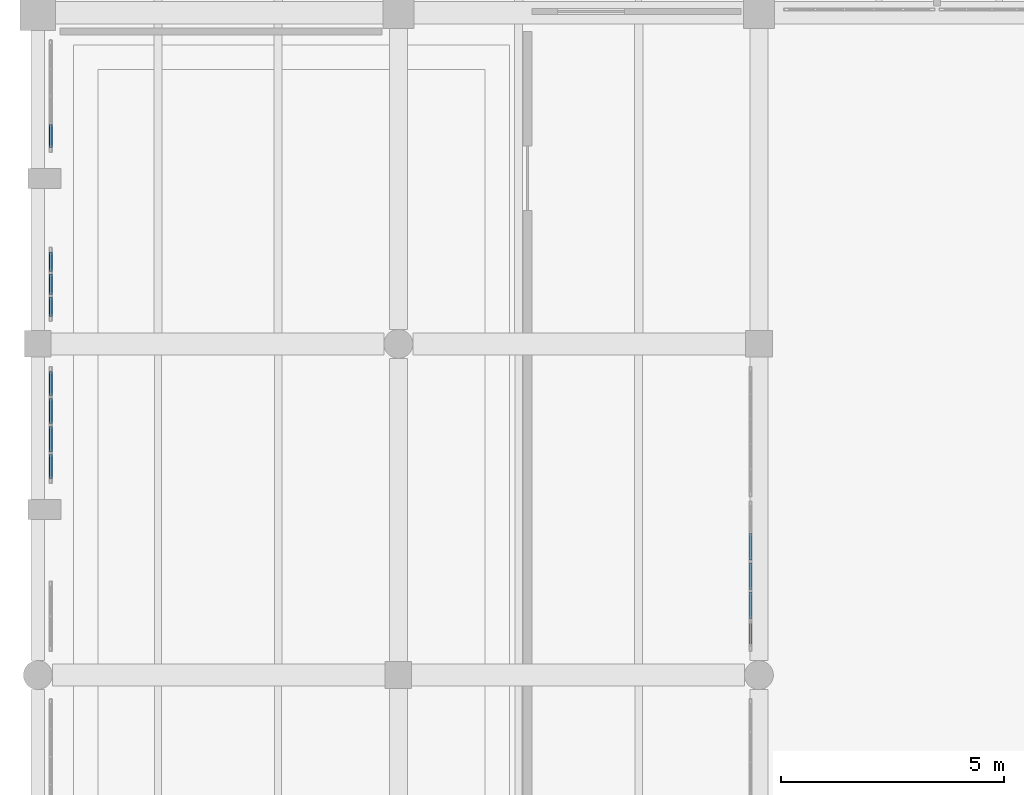
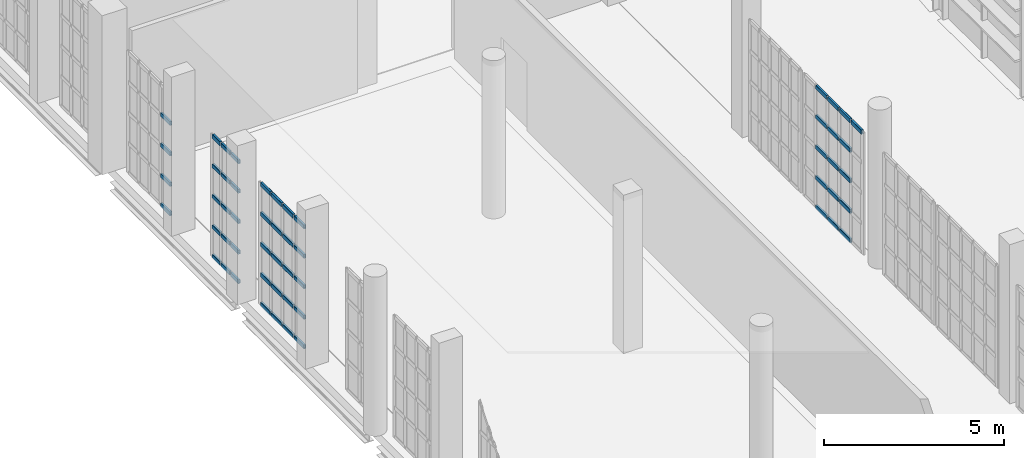
# One storey, part 297 of 372: 55 members, 4 elements without a shape of their own.
"""IFC4 building model written with IfcOpenShell, lengths in metres."""

from ifc_helpers import new_model, si_unit, direction, frame, origin, origin_2d, place, context, subcontext, project, spatial, hollow_rectangle, extrude, material, material_profile, profile_set, type_object, element, aggregate, save


model = new_model("IFC4")

# Units and contexts
model_context = context("Model", 3, precision=1e-05, world=origin(), true_north=direction((0.0, 1.0)))
body_context = subcontext(model_context, "Body", "Model", "MODEL_VIEW")
ifc_project = project(units=[si_unit("LENGTHUNIT", "METRE"), si_unit("AREAUNIT", "SQUARE_METRE"), si_unit("VOLUMEUNIT", "CUBIC_METRE"), si_unit("PLANEANGLEUNIT", "RADIAN"), si_unit("MASSUNIT", "GRAM", prefix="KILO")], contexts=[model_context])

# Site, building, storey
site_placement = place(None, origin())
site = spatial("IfcSite", under=ifc_project, at=site_placement, CompositionType="ELEMENT")
building_placement = place(site_placement, origin())
building = spatial("IfcBuilding", under=site, at=building_placement, Name="Kaelora Sail Theatre", CompositionType="ELEMENT")
storey_placement = place(building_placement, origin())
storey = spatial("IfcBuildingStorey", under=building, at=storey_placement, Name="L00", CompositionType="ELEMENT", Elevation=0.0)

# Curtain wall, members
ifc_material_1 = material(Name="Anodised aluminium and solar-control low-E IGU", Category="aluminium")
curtain_wall_type_1 = type_object("IfcCurtainWallType", Name="ARC-CW-CW-FOY1", PredefinedType="NOTDEFINED", material=ifc_material_1)
curtain_wall_1_placement = place(storey_placement, origin())
curtain_wall_1 = element("IfcCurtainWall", 1, at=curtain_wall_1_placement, inside=storey, type_object=curtain_wall_type_1, Name="Glazed Colonnade/Courtyard Curtain Wall COLW-W-L00-09", PredefinedType="NOTDEFINED")
ifc_material_2 = material(Name="Anodised aluminium 6063-T6", Category="aluminium")
ifc_material_profile = material_profile(ifc_material_2, hollow_rectangle(XDim=0.070068359375, YDim=0.139892578125, WallThickness=0.00390625, InnerFilletRadius=0.00390625, OuterFilletRadius=0.008056640625, at=origin_2d()), Name="ALU-TRAN 70x140x4")
ifc_profile_set = profile_set([ifc_material_profile], Name="Anodised aluminium 6063-T6")
member_type = type_object("IfcMemberType", Name="ARC-MEM-TR-140", PredefinedType="USERDEFINED", material=ifc_profile_set)
member_1_placement = place(storey_placement, frame((1.7900390625, 50.554931640625, 0.034912109375), z_axis=(0.0, 1.0, 0.0), x_axis=(-1.0, 0.0, 0.0)))
member_1 = element("IfcMember", 2, at=member_1_placement, type_object=member_type, Name="CW-FOY1 transom 1.1", ObjectType="TRANSOM", PredefinedType="USERDEFINED", context=body_context, shape_type="SweptSolid", body=[
    extrude(hollow_rectangle(XDim=0.070068359375, YDim=0.139892578125, WallThickness=0.00390625, InnerFilletRadius=0.00390625, OuterFilletRadius=0.008056640625, at=origin_2d()), origin(), (0.0, 0.0, 1.0), 0.541259765625),
])
member_2_placement = place(storey_placement, frame((1.7900390625, 50.554931640625, 1.0341796875), z_axis=(0.0, 1.0, 0.0), x_axis=(-1.0, 0.0, 0.0)))
member_2 = element("IfcMember", 3, at=member_2_placement, type_object=member_type, Name="CW-FOY1 transom 1.2", ObjectType="TRANSOM", PredefinedType="USERDEFINED", context=body_context, shape_type="SweptSolid", body=[
    extrude(hollow_rectangle(XDim=0.070068359375, YDim=0.139892578125, WallThickness=0.00390625, InnerFilletRadius=0.00390625, OuterFilletRadius=0.008056640625, at=origin_2d()), origin(), (0.0, 0.0, 1.0), 0.541259765625),
])
member_3_placement = place(storey_placement, frame((1.7900390625, 50.554931640625, 2.068603515625), z_axis=(0.0, 1.0, 0.0), x_axis=(-1.0, 0.0, 0.0)))
member_3 = element("IfcMember", 4, at=member_3_placement, type_object=member_type, Name="CW-FOY1 transom 1.3", ObjectType="TRANSOM", PredefinedType="USERDEFINED", context=body_context, shape_type="SweptSolid", body=[
    extrude(hollow_rectangle(XDim=0.070068359375, YDim=0.139892578125, WallThickness=0.00390625, InnerFilletRadius=0.00390625, OuterFilletRadius=0.008056640625, at=origin_2d()), origin(), (0.0, 0.0, 1.0), 0.541259765625),
])
member_4_placement = place(storey_placement, frame((1.7900390625, 50.554931640625, 3.102783203125), z_axis=(0.0, 1.0, 0.0), x_axis=(-1.0, 0.0, 0.0)))
member_4 = element("IfcMember", 5, at=member_4_placement, type_object=member_type, Name="CW-FOY1 transom 1.4", ObjectType="TRANSOM", PredefinedType="USERDEFINED", context=body_context, shape_type="SweptSolid", body=[
    extrude(hollow_rectangle(XDim=0.070068359375, YDim=0.139892578125, WallThickness=0.00390625, InnerFilletRadius=0.00390625, OuterFilletRadius=0.008056640625, at=origin_2d()), origin(), (0.0, 0.0, 1.0), 0.541259765625),
])
member_5_placement = place(storey_placement, frame((1.7900390625, 50.554931640625, 4.10205078125), z_axis=(0.0, 1.0, 0.0), x_axis=(-1.0, 0.0, 0.0)))
member_5 = element("IfcMember", 6, at=member_5_placement, type_object=member_type, Name="CW-FOY1 transom 1.5", ObjectType="TRANSOM", PredefinedType="USERDEFINED", context=body_context, shape_type="SweptSolid", body=[
    extrude(hollow_rectangle(XDim=0.070068359375, YDim=0.139892578125, WallThickness=0.00390625, InnerFilletRadius=0.00390625, OuterFilletRadius=0.008056640625, at=origin_2d()), origin(), (0.0, 0.0, 1.0), 0.541259765625),
])
member_6_placement = place(storey_placement, frame((1.7900390625, 51.15625, 0.034912109375), z_axis=(0.0, 1.0, 0.0), x_axis=(-1.0, 0.0, 0.0)))
member_6 = element("IfcMember", 7, at=member_6_placement, type_object=member_type, Name="CW-FOY1 transom 2.1", ObjectType="TRANSOM", PredefinedType="USERDEFINED", context=body_context, shape_type="SweptSolid", body=[
    extrude(hollow_rectangle(XDim=0.070068359375, YDim=0.139892578125, WallThickness=0.00390625, InnerFilletRadius=0.00390625, OuterFilletRadius=0.008056640625, at=origin_2d()), origin(), (0.0, 0.0, 1.0), 0.5712890625),
])
member_7_placement = place(storey_placement, frame((1.7900390625, 51.15625, 1.0341796875), z_axis=(0.0, 1.0, 0.0), x_axis=(-1.0, 0.0, 0.0)))
member_7 = element("IfcMember", 8, at=member_7_placement, type_object=member_type, Name="CW-FOY1 transom 2.2", ObjectType="TRANSOM", PredefinedType="USERDEFINED", context=body_context, shape_type="SweptSolid", body=[
    extrude(hollow_rectangle(XDim=0.070068359375, YDim=0.139892578125, WallThickness=0.00390625, InnerFilletRadius=0.00390625, OuterFilletRadius=0.008056640625, at=origin_2d()), origin(), (0.0, 0.0, 1.0), 0.5712890625),
])
member_8_placement = place(storey_placement, frame((1.7900390625, 51.15625, 2.068603515625), z_axis=(0.0, 1.0, 0.0), x_axis=(-1.0, 0.0, 0.0)))
member_8 = element("IfcMember", 9, at=member_8_placement, type_object=member_type, Name="CW-FOY1 transom 2.3", ObjectType="TRANSOM", PredefinedType="USERDEFINED", context=body_context, shape_type="SweptSolid", body=[
    extrude(hollow_rectangle(XDim=0.070068359375, YDim=0.139892578125, WallThickness=0.00390625, InnerFilletRadius=0.00390625, OuterFilletRadius=0.008056640625, at=origin_2d()), origin(), (0.0, 0.0, 1.0), 0.5712890625),
])
member_9_placement = place(storey_placement, frame((1.7900390625, 51.15625, 3.102783203125), z_axis=(0.0, 1.0, 0.0), x_axis=(-1.0, 0.0, 0.0)))
member_9 = element("IfcMember", 10, at=member_9_placement, type_object=member_type, Name="CW-FOY1 transom 2.4", ObjectType="TRANSOM", PredefinedType="USERDEFINED", context=body_context, shape_type="SweptSolid", body=[
    extrude(hollow_rectangle(XDim=0.070068359375, YDim=0.139892578125, WallThickness=0.00390625, InnerFilletRadius=0.00390625, OuterFilletRadius=0.008056640625, at=origin_2d()), origin(), (0.0, 0.0, 1.0), 0.5712890625),
])
member_10_placement = place(storey_placement, frame((1.7900390625, 51.15625, 4.10205078125), z_axis=(0.0, 1.0, 0.0), x_axis=(-1.0, 0.0, 0.0)))
member_10 = element("IfcMember", 11, at=member_10_placement, type_object=member_type, Name="CW-FOY1 transom 2.5", ObjectType="TRANSOM", PredefinedType="USERDEFINED", context=body_context, shape_type="SweptSolid", body=[
    extrude(hollow_rectangle(XDim=0.070068359375, YDim=0.139892578125, WallThickness=0.00390625, InnerFilletRadius=0.00390625, OuterFilletRadius=0.008056640625, at=origin_2d()), origin(), (0.0, 0.0, 1.0), 0.5712890625),
])
member_11_placement = place(storey_placement, frame((1.7900390625, 51.78759765625, 0.034912109375), z_axis=(0.0, 1.0, 0.0), x_axis=(-1.0, 0.0, 0.0)))
member_11 = element("IfcMember", 12, at=member_11_placement, type_object=member_type, Name="CW-FOY1 transom 3.1", ObjectType="TRANSOM", PredefinedType="USERDEFINED", context=body_context, shape_type="SweptSolid", body=[
    extrude(hollow_rectangle(XDim=0.070068359375, YDim=0.139892578125, WallThickness=0.00390625, InnerFilletRadius=0.00390625, OuterFilletRadius=0.008056640625, at=origin_2d()), origin(), (0.0, 0.0, 1.0), 0.571044921875),
])
member_12_placement = place(storey_placement, frame((1.7900390625, 51.78759765625, 1.0341796875), z_axis=(0.0, 1.0, 0.0), x_axis=(-1.0, 0.0, 0.0)))
member_12 = element("IfcMember", 13, at=member_12_placement, type_object=member_type, Name="CW-FOY1 transom 3.2", ObjectType="TRANSOM", PredefinedType="USERDEFINED", context=body_context, shape_type="SweptSolid", body=[
    extrude(hollow_rectangle(XDim=0.070068359375, YDim=0.139892578125, WallThickness=0.00390625, InnerFilletRadius=0.00390625, OuterFilletRadius=0.008056640625, at=origin_2d()), origin(), (0.0, 0.0, 1.0), 0.571044921875),
])
member_13_placement = place(storey_placement, frame((1.7900390625, 51.78759765625, 2.068603515625), z_axis=(0.0, 1.0, 0.0), x_axis=(-1.0, 0.0, 0.0)))
member_13 = element("IfcMember", 14, at=member_13_placement, type_object=member_type, Name="CW-FOY1 transom 3.3", ObjectType="TRANSOM", PredefinedType="USERDEFINED", context=body_context, shape_type="SweptSolid", body=[
    extrude(hollow_rectangle(XDim=0.070068359375, YDim=0.139892578125, WallThickness=0.00390625, InnerFilletRadius=0.00390625, OuterFilletRadius=0.008056640625, at=origin_2d()), origin(), (0.0, 0.0, 1.0), 0.571044921875),
])
member_14_placement = place(storey_placement, frame((1.7900390625, 51.78759765625, 3.102783203125), z_axis=(0.0, 1.0, 0.0), x_axis=(-1.0, 0.0, 0.0)))
member_14 = element("IfcMember", 15, at=member_14_placement, type_object=member_type, Name="CW-FOY1 transom 3.4", ObjectType="TRANSOM", PredefinedType="USERDEFINED", context=body_context, shape_type="SweptSolid", body=[
    extrude(hollow_rectangle(XDim=0.070068359375, YDim=0.139892578125, WallThickness=0.00390625, InnerFilletRadius=0.00390625, OuterFilletRadius=0.008056640625, at=origin_2d()), origin(), (0.0, 0.0, 1.0), 0.571044921875),
])
member_15_placement = place(storey_placement, frame((1.7900390625, 51.78759765625, 4.10205078125), z_axis=(0.0, 1.0, 0.0), x_axis=(-1.0, 0.0, 0.0)))
member_15 = element("IfcMember", 16, at=member_15_placement, type_object=member_type, Name="CW-FOY1 transom 3.5", ObjectType="TRANSOM", PredefinedType="USERDEFINED", context=body_context, shape_type="SweptSolid", body=[
    extrude(hollow_rectangle(XDim=0.070068359375, YDim=0.139892578125, WallThickness=0.00390625, InnerFilletRadius=0.00390625, OuterFilletRadius=0.008056640625, at=origin_2d()), origin(), (0.0, 0.0, 1.0), 0.571044921875),
])
member_16_placement = place(storey_placement, frame((1.7900390625, 52.418701171875, 0.034912109375), z_axis=(0.0, 1.0, 0.0), x_axis=(-1.0, 0.0, 0.0)))
member_16 = element("IfcMember", 17, at=member_16_placement, type_object=member_type, Name="CW-FOY1 transom 4.1", ObjectType="TRANSOM", PredefinedType="USERDEFINED", context=body_context, shape_type="SweptSolid", body=[
    extrude(hollow_rectangle(XDim=0.070068359375, YDim=0.139892578125, WallThickness=0.00390625, InnerFilletRadius=0.00390625, OuterFilletRadius=0.008056640625, at=origin_2d()), origin(), (0.0, 0.0, 1.0), 0.541259765625),
])
member_17_placement = place(storey_placement, frame((1.7900390625, 52.418701171875, 1.0341796875), z_axis=(0.0, 1.0, 0.0), x_axis=(-1.0, 0.0, 0.0)))
member_17 = element("IfcMember", 18, at=member_17_placement, type_object=member_type, Name="CW-FOY1 transom 4.2", ObjectType="TRANSOM", PredefinedType="USERDEFINED", context=body_context, shape_type="SweptSolid", body=[
    extrude(hollow_rectangle(XDim=0.070068359375, YDim=0.139892578125, WallThickness=0.00390625, InnerFilletRadius=0.00390625, OuterFilletRadius=0.008056640625, at=origin_2d()), origin(), (0.0, 0.0, 1.0), 0.541259765625),
])
member_18_placement = place(storey_placement, frame((1.7900390625, 52.418701171875, 2.068603515625), z_axis=(0.0, 1.0, 0.0), x_axis=(-1.0, 0.0, 0.0)))
member_18 = element("IfcMember", 19, at=member_18_placement, type_object=member_type, Name="CW-FOY1 transom 4.3", ObjectType="TRANSOM", PredefinedType="USERDEFINED", context=body_context, shape_type="SweptSolid", body=[
    extrude(hollow_rectangle(XDim=0.070068359375, YDim=0.139892578125, WallThickness=0.00390625, InnerFilletRadius=0.00390625, OuterFilletRadius=0.008056640625, at=origin_2d()), origin(), (0.0, 0.0, 1.0), 0.541259765625),
])
member_19_placement = place(storey_placement, frame((1.7900390625, 52.418701171875, 3.102783203125), z_axis=(0.0, 1.0, 0.0), x_axis=(-1.0, 0.0, 0.0)))
member_19 = element("IfcMember", 20, at=member_19_placement, type_object=member_type, Name="CW-FOY1 transom 4.4", ObjectType="TRANSOM", PredefinedType="USERDEFINED", context=body_context, shape_type="SweptSolid", body=[
    extrude(hollow_rectangle(XDim=0.070068359375, YDim=0.139892578125, WallThickness=0.00390625, InnerFilletRadius=0.00390625, OuterFilletRadius=0.008056640625, at=origin_2d()), origin(), (0.0, 0.0, 1.0), 0.541259765625),
])
member_20_placement = place(storey_placement, frame((1.7900390625, 52.418701171875, 4.10205078125), z_axis=(0.0, 1.0, 0.0), x_axis=(-1.0, 0.0, 0.0)))
member_20 = element("IfcMember", 21, at=member_20_placement, type_object=member_type, Name="CW-FOY1 transom 4.5", ObjectType="TRANSOM", PredefinedType="USERDEFINED", context=body_context, shape_type="SweptSolid", body=[
    extrude(hollow_rectangle(XDim=0.070068359375, YDim=0.139892578125, WallThickness=0.00390625, InnerFilletRadius=0.00390625, OuterFilletRadius=0.008056640625, at=origin_2d()), origin(), (0.0, 0.0, 1.0), 0.541259765625),
])
aggregate(curtain_wall_1, [member_1, member_2, member_3, member_4, member_5, member_6, member_7, member_8, member_9, member_10, member_11, member_12, member_13, member_14, member_15, member_16, member_17, member_18, member_19, member_20])

curtain_wall_2_placement = place(storey_placement, origin())
curtain_wall_2 = element("IfcCurtainWall", 22, at=curtain_wall_2_placement, inside=storey, type_object=curtain_wall_type_1, Name="Glazed Colonnade/Courtyard Curtain Wall COLW-W-L00-10", PredefinedType="NOTDEFINED")
member_21_placement = place(storey_placement, frame((1.7900390625, 54.199951171875, 0.034912109375), z_axis=(0.0, 1.0, 0.0), x_axis=(-1.0, 0.0, 0.0)))
member_21 = element("IfcMember", 23, at=member_21_placement, type_object=member_type, Name="CW-FOY1 transom 1.1", ObjectType="TRANSOM", PredefinedType="USERDEFINED", context=body_context, shape_type="SweptSolid", body=[
    extrude(hollow_rectangle(XDim=0.070068359375, YDim=0.139892578125, WallThickness=0.00390625, InnerFilletRadius=0.00390625, OuterFilletRadius=0.008056640625, at=origin_2d()), origin(), (0.0, 0.0, 1.0), 0.429931640625),
])
member_22_placement = place(storey_placement, frame((1.7900390625, 54.199951171875, 1.0341796875), z_axis=(0.0, 1.0, 0.0), x_axis=(-1.0, 0.0, 0.0)))
member_22 = element("IfcMember", 24, at=member_22_placement, type_object=member_type, Name="CW-FOY1 transom 1.2", ObjectType="TRANSOM", PredefinedType="USERDEFINED", context=body_context, shape_type="SweptSolid", body=[
    extrude(hollow_rectangle(XDim=0.070068359375, YDim=0.139892578125, WallThickness=0.00390625, InnerFilletRadius=0.00390625, OuterFilletRadius=0.008056640625, at=origin_2d()), origin(), (0.0, 0.0, 1.0), 0.429931640625),
])
member_23_placement = place(storey_placement, frame((1.7900390625, 54.199951171875, 2.068603515625), z_axis=(0.0, 1.0, 0.0), x_axis=(-1.0, 0.0, 0.0)))
member_23 = element("IfcMember", 25, at=member_23_placement, type_object=member_type, Name="CW-FOY1 transom 1.3", ObjectType="TRANSOM", PredefinedType="USERDEFINED", context=body_context, shape_type="SweptSolid", body=[
    extrude(hollow_rectangle(XDim=0.070068359375, YDim=0.139892578125, WallThickness=0.00390625, InnerFilletRadius=0.00390625, OuterFilletRadius=0.008056640625, at=origin_2d()), origin(), (0.0, 0.0, 1.0), 0.429931640625),
])
member_24_placement = place(storey_placement, frame((1.7900390625, 54.199951171875, 3.102783203125), z_axis=(0.0, 1.0, 0.0), x_axis=(-1.0, 0.0, 0.0)))
member_24 = element("IfcMember", 26, at=member_24_placement, type_object=member_type, Name="CW-FOY1 transom 1.4", ObjectType="TRANSOM", PredefinedType="USERDEFINED", context=body_context, shape_type="SweptSolid", body=[
    extrude(hollow_rectangle(XDim=0.070068359375, YDim=0.139892578125, WallThickness=0.00390625, InnerFilletRadius=0.00390625, OuterFilletRadius=0.008056640625, at=origin_2d()), origin(), (0.0, 0.0, 1.0), 0.429931640625),
])
member_25_placement = place(storey_placement, frame((1.7900390625, 54.199951171875, 4.10205078125), z_axis=(0.0, 1.0, 0.0), x_axis=(-1.0, 0.0, 0.0)))
member_25 = element("IfcMember", 27, at=member_25_placement, type_object=member_type, Name="CW-FOY1 transom 1.5", ObjectType="TRANSOM", PredefinedType="USERDEFINED", context=body_context, shape_type="SweptSolid", body=[
    extrude(hollow_rectangle(XDim=0.070068359375, YDim=0.139892578125, WallThickness=0.00390625, InnerFilletRadius=0.00390625, OuterFilletRadius=0.008056640625, at=origin_2d()), origin(), (0.0, 0.0, 1.0), 0.429931640625),
])
member_26_placement = place(storey_placement, frame((1.7900390625, 54.68994140625, 0.034912109375), z_axis=(0.0, 1.0, 0.0), x_axis=(-1.0, 0.0, 0.0)))
member_26 = element("IfcMember", 28, at=member_26_placement, type_object=member_type, Name="CW-FOY1 transom 2.1", ObjectType="TRANSOM", PredefinedType="USERDEFINED", context=body_context, shape_type="SweptSolid", body=[
    extrude(hollow_rectangle(XDim=0.070068359375, YDim=0.139892578125, WallThickness=0.00390625, InnerFilletRadius=0.00390625, OuterFilletRadius=0.008056640625, at=origin_2d()), origin(), (0.0, 0.0, 1.0), 0.4599609375),
])
member_27_placement = place(storey_placement, frame((1.7900390625, 54.68994140625, 1.0341796875), z_axis=(0.0, 1.0, 0.0), x_axis=(-1.0, 0.0, 0.0)))
member_27 = element("IfcMember", 29, at=member_27_placement, type_object=member_type, Name="CW-FOY1 transom 2.2", ObjectType="TRANSOM", PredefinedType="USERDEFINED", context=body_context, shape_type="SweptSolid", body=[
    extrude(hollow_rectangle(XDim=0.070068359375, YDim=0.139892578125, WallThickness=0.00390625, InnerFilletRadius=0.00390625, OuterFilletRadius=0.008056640625, at=origin_2d()), origin(), (0.0, 0.0, 1.0), 0.4599609375),
])
member_28_placement = place(storey_placement, frame((1.7900390625, 54.68994140625, 2.068603515625), z_axis=(0.0, 1.0, 0.0), x_axis=(-1.0, 0.0, 0.0)))
member_28 = element("IfcMember", 30, at=member_28_placement, type_object=member_type, Name="CW-FOY1 transom 2.3", ObjectType="TRANSOM", PredefinedType="USERDEFINED", context=body_context, shape_type="SweptSolid", body=[
    extrude(hollow_rectangle(XDim=0.070068359375, YDim=0.139892578125, WallThickness=0.00390625, InnerFilletRadius=0.00390625, OuterFilletRadius=0.008056640625, at=origin_2d()), origin(), (0.0, 0.0, 1.0), 0.4599609375),
])
member_29_placement = place(storey_placement, frame((1.7900390625, 54.68994140625, 3.102783203125), z_axis=(0.0, 1.0, 0.0), x_axis=(-1.0, 0.0, 0.0)))
member_29 = element("IfcMember", 31, at=member_29_placement, type_object=member_type, Name="CW-FOY1 transom 2.4", ObjectType="TRANSOM", PredefinedType="USERDEFINED", context=body_context, shape_type="SweptSolid", body=[
    extrude(hollow_rectangle(XDim=0.070068359375, YDim=0.139892578125, WallThickness=0.00390625, InnerFilletRadius=0.00390625, OuterFilletRadius=0.008056640625, at=origin_2d()), origin(), (0.0, 0.0, 1.0), 0.4599609375),
])
member_30_placement = place(storey_placement, frame((1.7900390625, 54.68994140625, 4.10205078125), z_axis=(0.0, 1.0, 0.0), x_axis=(-1.0, 0.0, 0.0)))
member_30 = element("IfcMember", 32, at=member_30_placement, type_object=member_type, Name="CW-FOY1 transom 2.5", ObjectType="TRANSOM", PredefinedType="USERDEFINED", context=body_context, shape_type="SweptSolid", body=[
    extrude(hollow_rectangle(XDim=0.070068359375, YDim=0.139892578125, WallThickness=0.00390625, InnerFilletRadius=0.00390625, OuterFilletRadius=0.008056640625, at=origin_2d()), origin(), (0.0, 0.0, 1.0), 0.4599609375),
])
member_31_placement = place(storey_placement, frame((1.7900390625, 55.2099609375, 0.034912109375), z_axis=(0.0, 1.0, 0.0), x_axis=(-1.0, 0.0, 0.0)))
member_31 = element("IfcMember", 33, at=member_31_placement, type_object=member_type, Name="CW-FOY1 transom 3.1", ObjectType="TRANSOM", PredefinedType="USERDEFINED", context=body_context, shape_type="SweptSolid", body=[
    extrude(hollow_rectangle(XDim=0.070068359375, YDim=0.139892578125, WallThickness=0.00390625, InnerFilletRadius=0.00390625, OuterFilletRadius=0.008056640625, at=origin_2d()), origin(), (0.0, 0.0, 1.0), 0.429931640625),
])
member_32_placement = place(storey_placement, frame((1.7900390625, 55.2099609375, 1.0341796875), z_axis=(0.0, 1.0, 0.0), x_axis=(-1.0, 0.0, 0.0)))
member_32 = element("IfcMember", 34, at=member_32_placement, type_object=member_type, Name="CW-FOY1 transom 3.2", ObjectType="TRANSOM", PredefinedType="USERDEFINED", context=body_context, shape_type="SweptSolid", body=[
    extrude(hollow_rectangle(XDim=0.070068359375, YDim=0.139892578125, WallThickness=0.00390625, InnerFilletRadius=0.00390625, OuterFilletRadius=0.008056640625, at=origin_2d()), origin(), (0.0, 0.0, 1.0), 0.429931640625),
])
member_33_placement = place(storey_placement, frame((1.7900390625, 55.2099609375, 2.068603515625), z_axis=(0.0, 1.0, 0.0), x_axis=(-1.0, 0.0, 0.0)))
member_33 = element("IfcMember", 35, at=member_33_placement, type_object=member_type, Name="CW-FOY1 transom 3.3", ObjectType="TRANSOM", PredefinedType="USERDEFINED", context=body_context, shape_type="SweptSolid", body=[
    extrude(hollow_rectangle(XDim=0.070068359375, YDim=0.139892578125, WallThickness=0.00390625, InnerFilletRadius=0.00390625, OuterFilletRadius=0.008056640625, at=origin_2d()), origin(), (0.0, 0.0, 1.0), 0.429931640625),
])
member_34_placement = place(storey_placement, frame((1.7900390625, 55.2099609375, 3.102783203125), z_axis=(0.0, 1.0, 0.0), x_axis=(-1.0, 0.0, 0.0)))
member_34 = element("IfcMember", 36, at=member_34_placement, type_object=member_type, Name="CW-FOY1 transom 3.4", ObjectType="TRANSOM", PredefinedType="USERDEFINED", context=body_context, shape_type="SweptSolid", body=[
    extrude(hollow_rectangle(XDim=0.070068359375, YDim=0.139892578125, WallThickness=0.00390625, InnerFilletRadius=0.00390625, OuterFilletRadius=0.008056640625, at=origin_2d()), origin(), (0.0, 0.0, 1.0), 0.429931640625),
])
member_35_placement = place(storey_placement, frame((1.7900390625, 55.2099609375, 4.10205078125), z_axis=(0.0, 1.0, 0.0), x_axis=(-1.0, 0.0, 0.0)))
member_35 = element("IfcMember", 37, at=member_35_placement, type_object=member_type, Name="CW-FOY1 transom 3.5", ObjectType="TRANSOM", PredefinedType="USERDEFINED", context=body_context, shape_type="SweptSolid", body=[
    extrude(hollow_rectangle(XDim=0.070068359375, YDim=0.139892578125, WallThickness=0.00390625, InnerFilletRadius=0.00390625, OuterFilletRadius=0.008056640625, at=origin_2d()), origin(), (0.0, 0.0, 1.0), 0.429931640625),
])
aggregate(curtain_wall_2, [member_21, member_22, member_23, member_24, member_25, member_26, member_27, member_28, member_29, member_30, member_31, member_32, member_33, member_34, member_35])

curtain_wall_3_placement = place(storey_placement, origin())
curtain_wall_3 = element("IfcCurtainWall", 38, at=curtain_wall_3_placement, inside=storey, type_object=curtain_wall_type_1, Name="Glazed Colonnade/Courtyard Curtain Wall COLW-W-L00-12", PredefinedType="NOTDEFINED")
member_36_placement = place(storey_placement, frame((1.7900390625, 57.9951171875, 0.034912109375), z_axis=(0.0, 1.0, 0.0), x_axis=(-1.0, 0.0, 0.0)))
member_36 = element("IfcMember", 39, at=member_36_placement, type_object=member_type, Name="CW-FOY1 transom 1.1", ObjectType="TRANSOM", PredefinedType="USERDEFINED", context=body_context, shape_type="SweptSolid", body=[
    extrude(hollow_rectangle(XDim=0.070068359375, YDim=0.139892578125, WallThickness=0.00390625, InnerFilletRadius=0.00390625, OuterFilletRadius=0.008056640625, at=origin_2d()), origin(), (0.0, 0.0, 1.0), 0.51611328125),
])
member_37_placement = place(storey_placement, frame((1.7900390625, 57.9951171875, 1.0341796875), z_axis=(0.0, 1.0, 0.0), x_axis=(-1.0, 0.0, 0.0)))
member_37 = element("IfcMember", 40, at=member_37_placement, type_object=member_type, Name="CW-FOY1 transom 1.2", ObjectType="TRANSOM", PredefinedType="USERDEFINED", context=body_context, shape_type="SweptSolid", body=[
    extrude(hollow_rectangle(XDim=0.070068359375, YDim=0.139892578125, WallThickness=0.00390625, InnerFilletRadius=0.00390625, OuterFilletRadius=0.008056640625, at=origin_2d()), origin(), (0.0, 0.0, 1.0), 0.51611328125),
])
member_38_placement = place(storey_placement, frame((1.7900390625, 57.9951171875, 2.068603515625), z_axis=(0.0, 1.0, 0.0), x_axis=(-1.0, 0.0, 0.0)))
member_38 = element("IfcMember", 41, at=member_38_placement, type_object=member_type, Name="CW-FOY1 transom 1.3", ObjectType="TRANSOM", PredefinedType="USERDEFINED", context=body_context, shape_type="SweptSolid", body=[
    extrude(hollow_rectangle(XDim=0.070068359375, YDim=0.139892578125, WallThickness=0.00390625, InnerFilletRadius=0.00390625, OuterFilletRadius=0.008056640625, at=origin_2d()), origin(), (0.0, 0.0, 1.0), 0.51611328125),
])
member_39_placement = place(storey_placement, frame((1.7900390625, 57.9951171875, 3.102783203125), z_axis=(0.0, 1.0, 0.0), x_axis=(-1.0, 0.0, 0.0)))
member_39 = element("IfcMember", 42, at=member_39_placement, type_object=member_type, Name="CW-FOY1 transom 1.4", ObjectType="TRANSOM", PredefinedType="USERDEFINED", context=body_context, shape_type="SweptSolid", body=[
    extrude(hollow_rectangle(XDim=0.070068359375, YDim=0.139892578125, WallThickness=0.00390625, InnerFilletRadius=0.00390625, OuterFilletRadius=0.008056640625, at=origin_2d()), origin(), (0.0, 0.0, 1.0), 0.51611328125),
])
aggregate(curtain_wall_3, [member_36, member_37, member_38, member_39])

ifc_material_3 = material(Name="Anodised aluminium and solar-control low-E IGU", Category="aluminium")
curtain_wall_type_2 = type_object("IfcCurtainWallType", Name="ARC-CW-CW-FOY2", PredefinedType="NOTDEFINED", material=ifc_material_3)
curtain_wall_4_placement = place(storey_placement, origin())
curtain_wall_4 = element("IfcCurtainWall", 43, at=curtain_wall_4_placement, inside=storey, type_object=curtain_wall_type_2, Name="Glazed Colonnade/Courtyard Curtain Wall COLW-E-L00-05", PredefinedType="NOTDEFINED")
member_40_placement = place(storey_placement, frame((17.510009765625, 46.784912109375, 4.10205078125), z_axis=(0.0, 1.0, 0.0), x_axis=(-1.0, 0.0, 0.0)))
member_40 = element("IfcMember", 44, at=member_40_placement, type_object=member_type, Name="CW-FOY2 transom 1.5", ObjectType="TRANSOM", PredefinedType="USERDEFINED", context=body_context, shape_type="SweptSolid", body=[
    extrude(hollow_rectangle(XDim=0.070068359375, YDim=0.139892578125, WallThickness=0.00390625, InnerFilletRadius=0.00390625, OuterFilletRadius=0.008056640625, at=origin_2d()), origin(), (0.0, 0.0, 1.0), 0.565185546875),
])
member_41_placement = place(storey_placement, frame((17.510009765625, 47.409912109375, 0.034912109375), z_axis=(0.0, 1.0, 0.0), x_axis=(-1.0, 0.0, 0.0)))
member_41 = element("IfcMember", 45, at=member_41_placement, type_object=member_type, Name="CW-FOY2 transom 2.1", ObjectType="TRANSOM", PredefinedType="USERDEFINED", context=body_context, shape_type="SweptSolid", body=[
    extrude(hollow_rectangle(XDim=0.070068359375, YDim=0.139892578125, WallThickness=0.00390625, InnerFilletRadius=0.00390625, OuterFilletRadius=0.008056640625, at=origin_2d()), origin(), (0.0, 0.0, 1.0), 0.594970703125),
])
member_42_placement = place(storey_placement, frame((17.510009765625, 47.409912109375, 1.0341796875), z_axis=(0.0, 1.0, 0.0), x_axis=(-1.0, 0.0, 0.0)))
member_42 = element("IfcMember", 46, at=member_42_placement, type_object=member_type, Name="CW-FOY2 transom 2.2", ObjectType="TRANSOM", PredefinedType="USERDEFINED", context=body_context, shape_type="SweptSolid", body=[
    extrude(hollow_rectangle(XDim=0.070068359375, YDim=0.139892578125, WallThickness=0.00390625, InnerFilletRadius=0.00390625, OuterFilletRadius=0.008056640625, at=origin_2d()), origin(), (0.0, 0.0, 1.0), 0.594970703125),
])
member_43_placement = place(storey_placement, frame((17.510009765625, 47.409912109375, 2.068603515625), z_axis=(0.0, 1.0, 0.0), x_axis=(-1.0, 0.0, 0.0)))
member_43 = element("IfcMember", 47, at=member_43_placement, type_object=member_type, Name="CW-FOY2 transom 2.3", ObjectType="TRANSOM", PredefinedType="USERDEFINED", context=body_context, shape_type="SweptSolid", body=[
    extrude(hollow_rectangle(XDim=0.070068359375, YDim=0.139892578125, WallThickness=0.00390625, InnerFilletRadius=0.00390625, OuterFilletRadius=0.008056640625, at=origin_2d()), origin(), (0.0, 0.0, 1.0), 0.594970703125),
])
member_44_placement = place(storey_placement, frame((17.510009765625, 47.409912109375, 3.102783203125), z_axis=(0.0, 1.0, 0.0), x_axis=(-1.0, 0.0, 0.0)))
member_44 = element("IfcMember", 48, at=member_44_placement, type_object=member_type, Name="CW-FOY2 transom 2.4", ObjectType="TRANSOM", PredefinedType="USERDEFINED", context=body_context, shape_type="SweptSolid", body=[
    extrude(hollow_rectangle(XDim=0.070068359375, YDim=0.139892578125, WallThickness=0.00390625, InnerFilletRadius=0.00390625, OuterFilletRadius=0.008056640625, at=origin_2d()), origin(), (0.0, 0.0, 1.0), 0.594970703125),
])
member_45_placement = place(storey_placement, frame((17.510009765625, 47.409912109375, 4.10205078125), z_axis=(0.0, 1.0, 0.0), x_axis=(-1.0, 0.0, 0.0)))
member_45 = element("IfcMember", 49, at=member_45_placement, type_object=member_type, Name="CW-FOY2 transom 2.5", ObjectType="TRANSOM", PredefinedType="USERDEFINED", context=body_context, shape_type="SweptSolid", body=[
    extrude(hollow_rectangle(XDim=0.070068359375, YDim=0.139892578125, WallThickness=0.00390625, InnerFilletRadius=0.00390625, OuterFilletRadius=0.008056640625, at=origin_2d()), origin(), (0.0, 0.0, 1.0), 0.594970703125),
])
member_46_placement = place(storey_placement, frame((17.510009765625, 48.06494140625, 0.034912109375), z_axis=(0.0, 1.0, 0.0), x_axis=(-1.0, 0.0, 0.0)))
member_46 = element("IfcMember", 50, at=member_46_placement, type_object=member_type, Name="CW-FOY2 transom 3.1", ObjectType="TRANSOM", PredefinedType="USERDEFINED", context=body_context, shape_type="SweptSolid", body=[
    extrude(hollow_rectangle(XDim=0.070068359375, YDim=0.139892578125, WallThickness=0.00390625, InnerFilletRadius=0.00390625, OuterFilletRadius=0.008056640625, at=origin_2d()), origin(), (0.0, 0.0, 1.0), 0.594970703125),
])
member_47_placement = place(storey_placement, frame((17.510009765625, 48.06494140625, 1.0341796875), z_axis=(0.0, 1.0, 0.0), x_axis=(-1.0, 0.0, 0.0)))
member_47 = element("IfcMember", 51, at=member_47_placement, type_object=member_type, Name="CW-FOY2 transom 3.2", ObjectType="TRANSOM", PredefinedType="USERDEFINED", context=body_context, shape_type="SweptSolid", body=[
    extrude(hollow_rectangle(XDim=0.070068359375, YDim=0.139892578125, WallThickness=0.00390625, InnerFilletRadius=0.00390625, OuterFilletRadius=0.008056640625, at=origin_2d()), origin(), (0.0, 0.0, 1.0), 0.594970703125),
])
member_48_placement = place(storey_placement, frame((17.510009765625, 48.06494140625, 2.068603515625), z_axis=(0.0, 1.0, 0.0), x_axis=(-1.0, 0.0, 0.0)))
member_48 = element("IfcMember", 52, at=member_48_placement, type_object=member_type, Name="CW-FOY2 transom 3.3", ObjectType="TRANSOM", PredefinedType="USERDEFINED", context=body_context, shape_type="SweptSolid", body=[
    extrude(hollow_rectangle(XDim=0.070068359375, YDim=0.139892578125, WallThickness=0.00390625, InnerFilletRadius=0.00390625, OuterFilletRadius=0.008056640625, at=origin_2d()), origin(), (0.0, 0.0, 1.0), 0.594970703125),
])
member_49_placement = place(storey_placement, frame((17.510009765625, 48.06494140625, 3.102783203125), z_axis=(0.0, 1.0, 0.0), x_axis=(-1.0, 0.0, 0.0)))
member_49 = element("IfcMember", 53, at=member_49_placement, type_object=member_type, Name="CW-FOY2 transom 3.4", ObjectType="TRANSOM", PredefinedType="USERDEFINED", context=body_context, shape_type="SweptSolid", body=[
    extrude(hollow_rectangle(XDim=0.070068359375, YDim=0.139892578125, WallThickness=0.00390625, InnerFilletRadius=0.00390625, OuterFilletRadius=0.008056640625, at=origin_2d()), origin(), (0.0, 0.0, 1.0), 0.594970703125),
])
member_50_placement = place(storey_placement, frame((17.510009765625, 48.06494140625, 4.10205078125), z_axis=(0.0, 1.0, 0.0), x_axis=(-1.0, 0.0, 0.0)))
member_50 = element("IfcMember", 54, at=member_50_placement, type_object=member_type, Name="CW-FOY2 transom 3.5", ObjectType="TRANSOM", PredefinedType="USERDEFINED", context=body_context, shape_type="SweptSolid", body=[
    extrude(hollow_rectangle(XDim=0.070068359375, YDim=0.139892578125, WallThickness=0.00390625, InnerFilletRadius=0.00390625, OuterFilletRadius=0.008056640625, at=origin_2d()), origin(), (0.0, 0.0, 1.0), 0.594970703125),
])
member_51_placement = place(storey_placement, frame((17.510009765625, 48.719970703125, 0.034912109375), z_axis=(0.0, 1.0, 0.0), x_axis=(-1.0, 0.0, 0.0)))
member_51 = element("IfcMember", 55, at=member_51_placement, type_object=member_type, Name="CW-FOY2 transom 4.1", ObjectType="TRANSOM", PredefinedType="USERDEFINED", context=body_context, shape_type="SweptSolid", body=[
    extrude(hollow_rectangle(XDim=0.070068359375, YDim=0.139892578125, WallThickness=0.00390625, InnerFilletRadius=0.00390625, OuterFilletRadius=0.008056640625, at=origin_2d()), origin(), (0.0, 0.0, 1.0), 0.594970703125),
])
member_52_placement = place(storey_placement, frame((17.510009765625, 48.719970703125, 1.0341796875), z_axis=(0.0, 1.0, 0.0), x_axis=(-1.0, 0.0, 0.0)))
member_52 = element("IfcMember", 56, at=member_52_placement, type_object=member_type, Name="CW-FOY2 transom 4.2", ObjectType="TRANSOM", PredefinedType="USERDEFINED", context=body_context, shape_type="SweptSolid", body=[
    extrude(hollow_rectangle(XDim=0.070068359375, YDim=0.139892578125, WallThickness=0.00390625, InnerFilletRadius=0.00390625, OuterFilletRadius=0.008056640625, at=origin_2d()), origin(), (0.0, 0.0, 1.0), 0.594970703125),
])
member_53_placement = place(storey_placement, frame((17.510009765625, 48.719970703125, 2.068603515625), z_axis=(0.0, 1.0, 0.0), x_axis=(-1.0, 0.0, 0.0)))
member_53 = element("IfcMember", 57, at=member_53_placement, type_object=member_type, Name="CW-FOY2 transom 4.3", ObjectType="TRANSOM", PredefinedType="USERDEFINED", context=body_context, shape_type="SweptSolid", body=[
    extrude(hollow_rectangle(XDim=0.070068359375, YDim=0.139892578125, WallThickness=0.00390625, InnerFilletRadius=0.00390625, OuterFilletRadius=0.008056640625, at=origin_2d()), origin(), (0.0, 0.0, 1.0), 0.594970703125),
])
member_54_placement = place(storey_placement, frame((17.510009765625, 48.719970703125, 3.102783203125), z_axis=(0.0, 1.0, 0.0), x_axis=(-1.0, 0.0, 0.0)))
member_54 = element("IfcMember", 58, at=member_54_placement, type_object=member_type, Name="CW-FOY2 transom 4.4", ObjectType="TRANSOM", PredefinedType="USERDEFINED", context=body_context, shape_type="SweptSolid", body=[
    extrude(hollow_rectangle(XDim=0.070068359375, YDim=0.139892578125, WallThickness=0.00390625, InnerFilletRadius=0.00390625, OuterFilletRadius=0.008056640625, at=origin_2d()), origin(), (0.0, 0.0, 1.0), 0.594970703125),
])
member_55_placement = place(storey_placement, frame((17.510009765625, 48.719970703125, 4.10205078125), z_axis=(0.0, 1.0, 0.0), x_axis=(-1.0, 0.0, 0.0)))
member_55 = element("IfcMember", 59, at=member_55_placement, type_object=member_type, Name="CW-FOY2 transom 4.5", ObjectType="TRANSOM", PredefinedType="USERDEFINED", context=body_context, shape_type="SweptSolid", body=[
    extrude(hollow_rectangle(XDim=0.070068359375, YDim=0.139892578125, WallThickness=0.00390625, InnerFilletRadius=0.00390625, OuterFilletRadius=0.008056640625, at=origin_2d()), origin(), (0.0, 0.0, 1.0), 0.594970703125),
])
aggregate(curtain_wall_4, [member_40, member_41, member_42, member_43, member_44, member_45, member_46, member_47, member_48, member_49, member_50, member_51, member_52, member_53, member_54, member_55])

save(model, "model.ifc")
